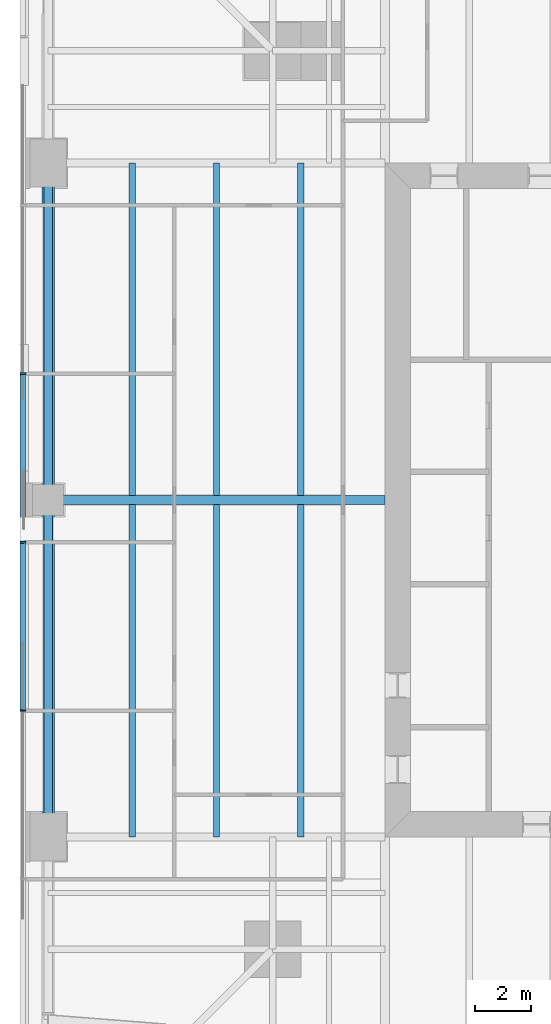
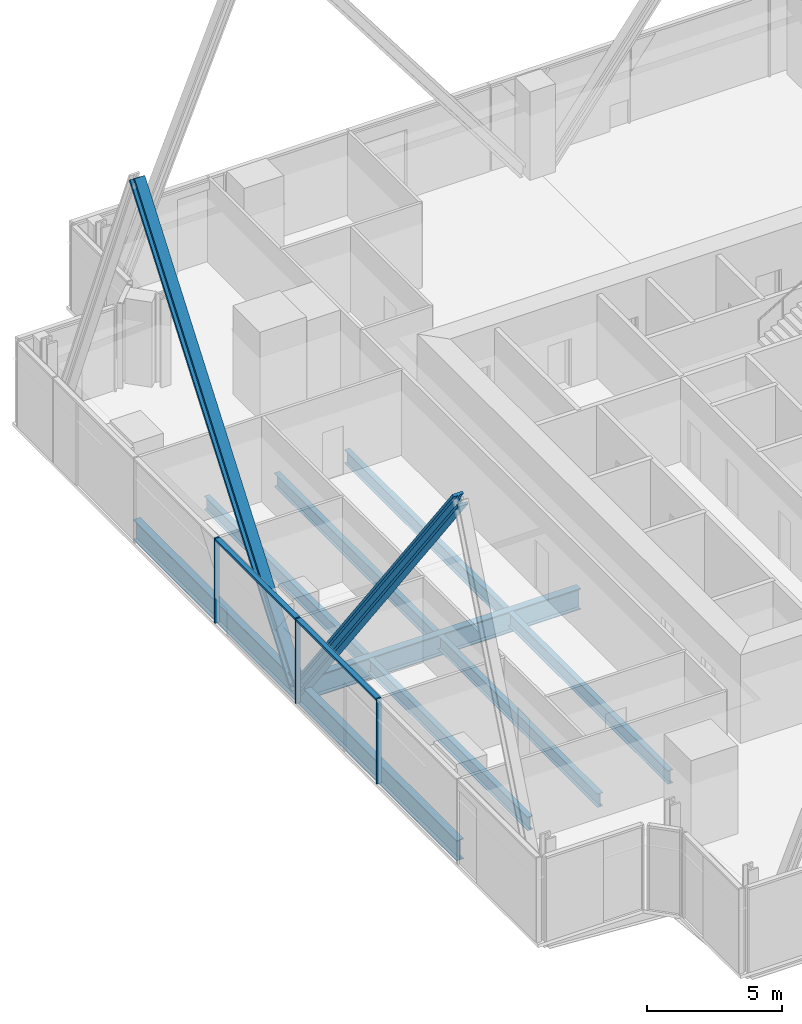
# One storey, part 4 of 14: 9 beams, 7 members, 1 element without a shape of its own.
"""IFC4 building model written with IfcOpenShell, lengths in metres."""

from ifc_helpers import new_model, si_unit, direction, frame, origin, origin_2d, place, context, subcontext, project, spatial, rectangle, i_section, extrude, material, material_profile, profile_set, type_object, element, aggregate, save


model = new_model("IFC4")

# Units and contexts
model_context = context("Model", 3, precision=1e-05, world=origin(), true_north=direction((0.0, 1.0)))
body_context = subcontext(model_context, "Body", "Model", "MODEL_VIEW")
ifc_project = project(units=[si_unit("LENGTHUNIT", "METRE"), si_unit("AREAUNIT", "SQUARE_METRE"), si_unit("VOLUMEUNIT", "CUBIC_METRE"), si_unit("PLANEANGLEUNIT", "RADIAN"), si_unit("MASSUNIT", "GRAM", prefix="KILO")], contexts=[model_context])

# Site, building, storey
site_placement = place(None, origin())
site = spatial("IfcSite", under=ifc_project, at=site_placement, CompositionType="ELEMENT")
building_placement = place(site_placement, origin())
building = spatial("IfcBuilding", under=site, at=building_placement, Name="Fenwick Lantern Interchange", CompositionType="ELEMENT")
storey_placement = place(building_placement, frame((0.0, 0.0, 217.800048828125)))
storey = spatial("IfcBuildingStorey", under=building, at=storey_placement, Name="L51", CompositionType="ELEMENT", Elevation=217.800048828125)

# Beams
ifc_material_1 = material(Name="Steel ASTM A992 Grade 50", Category="steel")
ifc_material_profile_1 = material_profile(ifc_material_1, i_section(OverallWidth=0.3046875, OverallDepth=0.911865234375, WebThickness=0.015869140625, FlangeThickness=0.02392578125, at=origin_2d()), Name="W36X150")
ifc_profile_set_1 = profile_set([ifc_material_profile_1], Name="Steel ASTM A992 Grade 50")
beam_type_1 = type_object("IfcBeamType", Name="EDGE BEAM W36X150", PredefinedType="SPANDREL", material=ifc_profile_set_1)
for number, where, z_axis, x_axis, name in (
    (1, (1.0, 37.0, -0.60595703125), (0.0, -1.0, 0.0), (1.0, 0.0, 0.0), "L51/FR/W/EB2"),
    (2, (1.0, 25.0, -0.60595703125), (0.0, -1.0, 0.0), (1.0, 0.0, 0.0), "L51/FR/W/EB3"),
):
    element("IfcBeam", number, at=place(storey_placement, frame(where, z_axis=z_axis, x_axis=x_axis)), inside=storey, type_object=beam_type_1, Name=name, PredefinedType="SPANDREL", context=body_context, shape_type="SweptSolid", body=[
        extrude(i_section(OverallWidth=0.3046875, OverallDepth=0.911865234375, WebThickness=0.015869140625, FlangeThickness=0.02392578125, at=origin_2d()), origin(), (0.0, 0.0, 1.0), 12.0),
    ])

# Members
ifc_material_profile_2 = material_profile(ifc_material_1, i_section(OverallWidth=0.44189453125, OverallDepth=0.53076171875, WebThickness=0.06591796875, FlangeThickness=0.105712890625, at=origin_2d()), Name="W14X605")
ifc_profile_set_2 = profile_set([ifc_material_profile_2], Name="Steel ASTM A992 Grade 50")
member_type_1 = type_object("IfcMemberType", Name="FACADE BRACE W14X605", PredefinedType="BRACE", material=ifc_profile_set_2)
for number, where, z_axis, x_axis, name in (
    (3, (1.0, 25.0, -0.60595703125), (0.0, 0.602763000162, 0.797920275238), (-1.0, 0.0, 0.0), "L51/FB/W/A"),
    (4, (1.0, 25.0, -0.60595703125), (0.0, -0.602763000162, 0.797920275238), (1.0, 0.0, 0.0), "L51/FB/W/B"),
):
    element("IfcMember", number, at=place(storey_placement, frame(where, z_axis=z_axis, x_axis=x_axis)), inside=storey, type_object=member_type_1, Name=name, PredefinedType="BRACE", context=body_context, shape_type="SweptSolid", body=[
        extrude(i_section(OverallWidth=0.44189453125, OverallDepth=0.53076171875, WebThickness=0.06591796875, FlangeThickness=0.105712890625, at=origin_2d()), origin(), (0.0, 0.0, 1.0), 19.908203125),
    ])

# Beams
ifc_material_profile_3 = material_profile(ifc_material_1, i_section(OverallWidth=0.22900390625, OverallDepth=0.612060546875, WebThickness=0.011962890625, FlangeThickness=0.01953125, at=origin_2d()), Name="W24X84")
ifc_profile_set_3 = profile_set([ifc_material_profile_3], Name="Steel ASTM A992 Grade 50")
beam_type_2 = type_object("IfcBeamType", Name="FLOOR BEAM W24X84", PredefinedType="BEAM", material=ifc_profile_set_3)
for number, where, z_axis, x_axis, name in (
    (5, (4.0, 37.0, -0.4560546875), (0.0, -1.0, 0.0), (1.0, 0.0, 0.0), "L51/FR/W/B01"),
    (6, (7.0, 37.0, -0.4560546875), (0.0, -1.0, 0.0), (1.0, 0.0, 0.0), "L51/FR/W/B02"),
    (7, (10.0, 37.0, -0.4560546875), (0.0, -1.0, 0.0), (1.0, 0.0, 0.0), "L51/FR/W/B03"),
    (8, (4.0, 24.844970703125, -0.4560546875), (0.0, -1.0, 0.0), (1.0, 0.0, 0.0), "L51/FR/W/B04"),
    (9, (7.0, 24.844970703125, -0.4560546875), (0.0, -1.0, 0.0), (1.0, 0.0, 0.0), "L51/FR/W/B05"),
    (10, (10.0, 24.844970703125, -0.4560546875), (0.0, -1.0, 0.0), (1.0, 0.0, 0.0), "L51/FR/W/B06"),
):
    element("IfcBeam", number, at=place(storey_placement, frame(where, z_axis=z_axis, x_axis=x_axis)), inside=storey, type_object=beam_type_2, Name=name, PredefinedType="BEAM", context=body_context, shape_type="SweptSolid", body=[
        extrude(i_section(OverallWidth=0.22900390625, OverallDepth=0.612060546875, WebThickness=0.011962890625, FlangeThickness=0.01953125, at=origin_2d()), origin(), (0.0, 0.0, 1.0), 11.844970703125),
    ])
ifc_material_profile_4 = material_profile(ifc_material_1, i_section(OverallWidth=0.309814453125, OverallDepth=0.949951171875, WebThickness=0.0244140625, FlangeThickness=0.0439453125, at=origin_2d()), Name="W36X256")
ifc_profile_set_4 = profile_set([ifc_material_profile_4], Name="Steel ASTM A992 Grade 50")
beam_type_3 = type_object("IfcBeamType", Name="MOMENT-CONNECTED GIRDER W36X256", PredefinedType="BEAM", material=ifc_profile_set_4)
beam_placement = place(storey_placement, frame((1.0, 25.0, -0.625), z_axis=(1.0, 0.0, 0.0), x_axis=(0.0, 1.0, 0.0)))
element("IfcBeam", 11, at=beam_placement, inside=storey, type_object=beam_type_3, Name="L51/FR/W/R02", PredefinedType="BEAM", context=body_context, shape_type="SweptSolid", body=[
    extrude(i_section(OverallWidth=0.309814453125, OverallDepth=0.949951171875, WebThickness=0.0244140625, FlangeThickness=0.0439453125, at=origin_2d()), origin(), (0.0, 0.0, 1.0), 12.0),
])

# Curtain wall, members
ifc_material_2 = material(Name="Aluminium curtain wall frame", Category="aluminium")
curtain_wall_type = type_object("IfcCurtainWallType", Name="OFFICE CURTAIN WALL", PredefinedType="USERDEFINED", material=ifc_material_2)
curtain_wall_placement = place(storey_placement, origin())
curtain_wall = element("IfcCurtainWall", 12, at=curtain_wall_placement, inside=storey, type_object=curtain_wall_type, Name="Office curtain wall 13", ObjectType="OFFICE CURTAIN WALL", PredefinedType="USERDEFINED")
ifc_material_3 = material(Name="Aluminium extrusion", Category="aluminium")
ifc_material_profile_5 = material_profile(ifc_material_3, rectangle(XDim=0.199951171875, YDim=0.06494140625, at=origin_2d()), Name="OFFICE CURTAIN WALL MULLION 65 X 200")
ifc_profile_set_5 = profile_set([ifc_material_profile_5], Name="Aluminium extrusion")
member_type_2 = type_object("IfcMemberType", Name="OFFICE CURTAIN WALL MULLION 65 X 200", PredefinedType="MULLION", material=ifc_profile_set_5)
member_1_placement = place(storey_placement, frame((0.10009765625, 29.5, 0.0), z_axis=(0.0, 0.0, 1.0), x_axis=(1.0, 0.0, 0.0)))
member_1 = element("IfcMember", 13, at=member_1_placement, type_object=member_type_2, Name="L51/CW/13/M03", PredefinedType="MULLION", context=body_context, shape_type="SweptSolid", body=[
    extrude(rectangle(XDim=0.199951171875, YDim=0.06494140625, at=origin_2d()), origin(), (0.0, 0.0, 1.0), 3.849853515625),
])
member_2_placement = place(storey_placement, frame((0.10009765625, 23.5, 0.0), z_axis=(0.0, 0.0, 1.0), x_axis=(1.0, 0.0, 0.0)))
member_2 = element("IfcMember", 14, at=member_2_placement, type_object=member_type_2, Name="L51/CW/13/M04", PredefinedType="MULLION", context=body_context, shape_type="SweptSolid", body=[
    extrude(rectangle(XDim=0.199951171875, YDim=0.06494140625, at=origin_2d()), origin(), (0.0, 0.0, 1.0), 3.849853515625),
])
member_3_placement = place(storey_placement, frame((0.10009765625, 17.5, 0.0), z_axis=(0.0, 0.0, 1.0), x_axis=(1.0, 0.0, 0.0)))
member_3 = element("IfcMember", 15, at=member_3_placement, type_object=member_type_2, Name="L51/CW/13/M05", PredefinedType="MULLION", context=body_context, shape_type="SweptSolid", body=[
    extrude(rectangle(XDim=0.199951171875, YDim=0.06494140625, at=origin_2d()), origin(), (0.0, 0.0, 1.0), 3.849853515625),
])
ifc_material_profile_6 = material_profile(ifc_material_3, rectangle(XDim=0.199951171875, YDim=0.10009765625, at=origin_2d()), Name="OFFICE CURTAIN WALL TRANSOM 100 X 200")
ifc_profile_set_6 = profile_set([ifc_material_profile_6], Name="Aluminium extrusion")
member_type_3 = type_object("IfcMemberType", Name="OFFICE CURTAIN WALL TRANSOM 100 X 200", PredefinedType="MULLION", material=ifc_profile_set_6)
member_4_placement = place(storey_placement, frame((0.10009765625, 29.467529296875, 3.800048828125), z_axis=(0.0, -1.0, 0.0), x_axis=(1.0, 0.0, 0.0)))
member_4 = element("IfcMember", 16, at=member_4_placement, type_object=member_type_3, Name="L51/CW/13/T03", PredefinedType="MULLION", context=body_context, shape_type="SweptSolid", body=[
    extrude(rectangle(XDim=0.199951171875, YDim=0.10009765625, at=origin_2d()), origin(), (0.0, 0.0, 1.0), 5.93505859375),
])
member_5_placement = place(storey_placement, frame((0.10009765625, 23.467529296875, 3.800048828125), z_axis=(0.0, -1.0, 0.0), x_axis=(1.0, 0.0, 0.0)))
member_5 = element("IfcMember", 17, at=member_5_placement, type_object=member_type_3, Name="L51/CW/13/T04", PredefinedType="MULLION", context=body_context, shape_type="SweptSolid", body=[
    extrude(rectangle(XDim=0.199951171875, YDim=0.10009765625, at=origin_2d()), origin(), (0.0, 0.0, 1.0), 5.93505859375),
])
aggregate(curtain_wall, [member_1, member_2, member_3, member_4, member_5])

save(model, "model.ifc")
